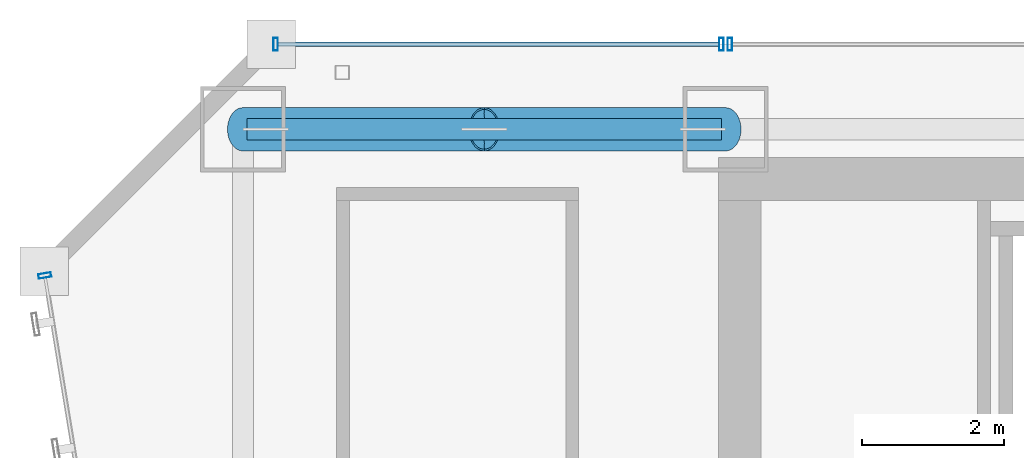
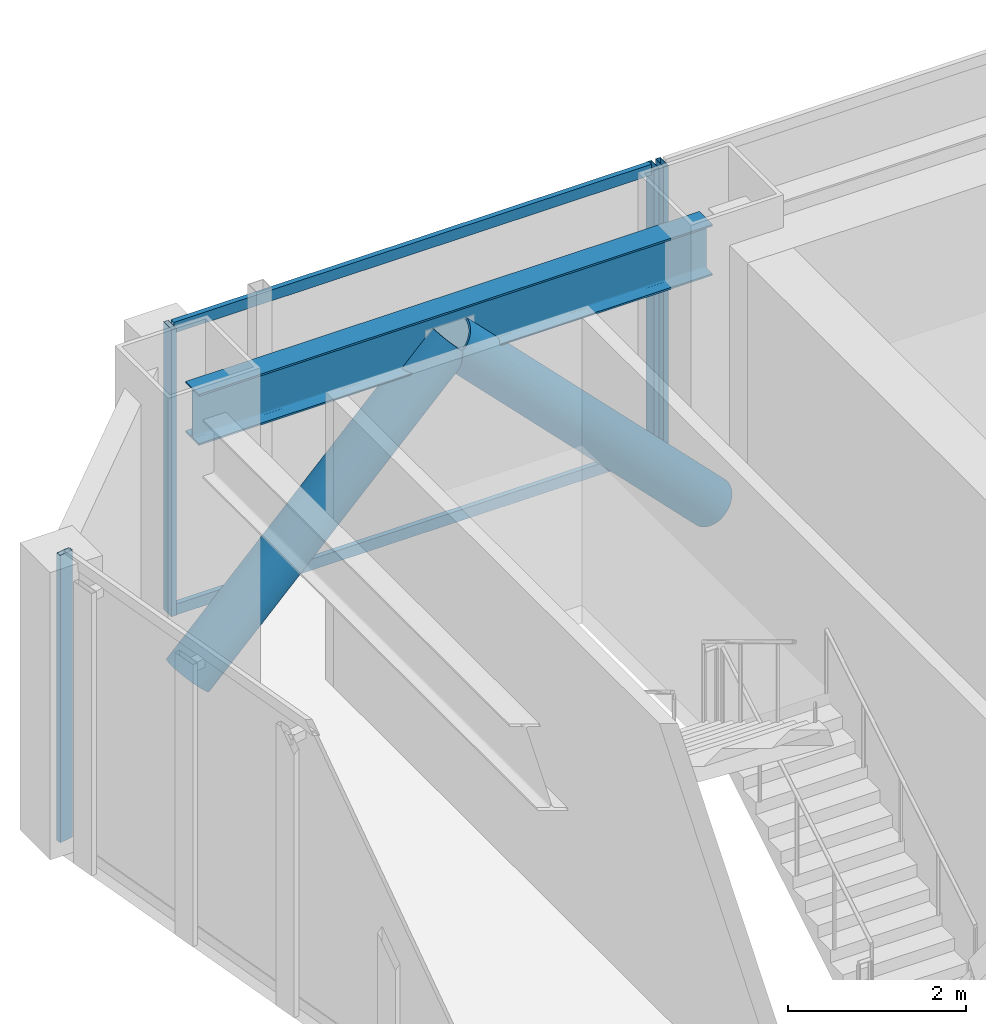
# One storey, part 26 of 47: 8 members, 1 beam, 3 elements without a shape of their own.
"""IFC4 building model written with IfcOpenShell, lengths in metres."""

from ifc_helpers import new_model, si_unit, direction, frame, origin, origin_2d, place, context, subcontext, project, spatial, hollow_rectangle, hollow_circle, i_section, extrude, material, material_profile, profile_set, type_object, element, aggregate, save


model = new_model("IFC4")

# Units and contexts
model_context = context("Model", 3, precision=1e-05, world=origin(), true_north=direction((0.0, 1.0)))
body_context = subcontext(model_context, "Body", "Model", "MODEL_VIEW")
ifc_project = project(units=[si_unit("LENGTHUNIT", "METRE"), si_unit("AREAUNIT", "SQUARE_METRE"), si_unit("VOLUMEUNIT", "CUBIC_METRE"), si_unit("PLANEANGLEUNIT", "RADIAN"), si_unit("MASSUNIT", "GRAM", prefix="KILO")], contexts=[model_context])

# Site, building, storey
site_placement = place(None, origin())
site = spatial("IfcSite", under=ifc_project, at=site_placement, CompositionType="ELEMENT")
building_placement = place(site_placement, origin())
building = spatial("IfcBuilding", under=site, at=building_placement, Name="Saevonmaru Cultural Tower", CompositionType="ELEMENT")
storey_placement = place(building_placement, frame((0.0, 0.0, 82.39990234375)))
storey = spatial("IfcBuildingStorey", under=building, at=storey_placement, Name="L17", CompositionType="ELEMENT", Elevation=82.39990234375)

# Beam
ifc_material_1 = material(Name="Steel SM355", Category="steel")
ifc_material_profile_1 = material_profile(ifc_material_1, i_section(OverallWidth=0.300048828125, OverallDepth=0.699951171875, WebThickness=0.012939453125, FlangeThickness=0.02392578125, FilletRadius=0.02587890625, at=origin_2d()), Name="H-700x300x13x24")
ifc_profile_set_1 = profile_set([ifc_material_profile_1], Name="Steel SM355")
beam_type = type_object("IfcBeamType", Name="BM-SP-H700", PredefinedType="SPANDREL", material=ifc_profile_set_1)
beam_placement = place(storey_placement, frame((6.860107421875, 54.800048828125, 3.60009765625), z_axis=(1.0, 0.0, 0.0), x_axis=(0.0, 1.0, 0.0)))
element("IfcBeam", 1, at=beam_placement, inside=storey, type_object=beam_type, Name="L17 North Spine Girder 1", PredefinedType="SPANDREL", context=body_context, shape_type="SweptSolid", body=[
    extrude(i_section(OverallWidth=0.300048828125, OverallDepth=0.699951171875, WebThickness=0.012939453125, FlangeThickness=0.02392578125, FilletRadius=0.02587890625, at=origin_2d()), origin(), (0.0, 0.0, 1.0), 6.679931640625),
])

# Members
ifc_material_2 = material(Name="Steel HSA600 (600 MPa)", Category="steel")
ifc_material_profile_2 = material_profile(ifc_material_2, hollow_circle(Radius=0.3046875, WallThickness=0.02490234375, at=origin_2d()), Name="CHS-609.6x25")
ifc_profile_set_2 = profile_set([ifc_material_profile_2], Name="Steel HSA600 (600 MPa)")
member_type_1 = type_object("IfcMemberType", Name="MB-PBR-CHS610", PredefinedType="BRACE", material=ifc_profile_set_2)
for number, where, z_axis, x_axis, name in (
    (2, (6.800048828125, 54.800048828125, 0.02001953125), (0.701896332213, 0.0, 0.712279115815), (0.0, 1.0, 0.0), "L17 Perimeter Braced-Tube Diagonal WN1"),
    (3, (13.60009765625, 54.800048828125, 0.02001953125), (-0.701921901815, 0.0, 0.712253918033), (0.0, -1.0, 0.0), "L17 Perimeter Braced-Tube Diagonal WN2"),
):
    element("IfcMember", number, at=place(storey_placement, frame(where, z_axis=z_axis, x_axis=x_axis)), inside=storey, type_object=member_type_1, Name=name, PredefinedType="BRACE", context=body_context, shape_type="SweptSolid", body=[
        extrude(hollow_circle(Radius=0.3046875, WallThickness=0.02490234375, at=origin_2d()), origin(), (0.0, 0.0, 1.0), 4.843994140625),
    ])

# Curtain wall, member
ifc_material_3 = material(Name="Satin Bronze Anodised Aluminium", Category="aluminium")
curtain_wall_type = type_object("IfcCurtainWallType", Name="CW-TYP-A", PredefinedType="NOTDEFINED", material=ifc_material_3)
curtain_wall_1_placement = place(storey_placement, origin())
curtain_wall_1 = element("IfcCurtainWall", 4, at=curtain_wall_1_placement, inside=storey, type_object=curtain_wall_type, Name="L17 North Spine Unitised Curtain Wall E10B", PredefinedType="NOTDEFINED")
ifc_material_profile_3 = material_profile(ifc_material_3, hollow_rectangle(XDim=0.06494140625, YDim=0.179931640625, WallThickness=0.00390625, at=origin_2d()), Name="ALU-MULL-180x65x4")
ifc_profile_set_3 = profile_set([ifc_material_profile_3], Name="Satin Bronze Anodised Aluminium")
member_type_2 = type_object("IfcMemberType", Name="ML-CW-180x65", PredefinedType="MULLION", material=ifc_profile_set_3)
member_1_placement = place(storey_placement, frame((13.659912109375, 56.0, 0.0), z_axis=(0.0, 0.0, 1.0), x_axis=(-1.0, 0.0, 0.0)))
member_1 = element("IfcMember", 5, at=member_1_placement, type_object=member_type_2, Name="CW-TW-L17-E10B mullion 4", PredefinedType="MULLION", context=body_context, shape_type="SweptSolid", body=[
    extrude(hollow_rectangle(XDim=0.06494140625, YDim=0.179931640625, WallThickness=0.00390625, at=origin_2d()), origin(), (0.0, 0.0, 1.0), 3.9501953125),
])
aggregate(curtain_wall_1, [member_1])

# Curtain wall, members
curtain_wall_2_placement = place(storey_placement, origin())
curtain_wall_2 = element("IfcCurtainWall", 6, at=curtain_wall_2_placement, inside=storey, type_object=curtain_wall_type, Name="L17 West Braced Bay Spandrel Curtain Wall E10C", PredefinedType="NOTDEFINED")
member_2_placement = place(storey_placement, frame((13.5400390625, 56.0, 0.0), z_axis=(0.0, 0.0, 1.0), x_axis=(-1.0, 0.0, 0.0)))
member_2 = element("IfcMember", 7, at=member_2_placement, type_object=member_type_2, Name="CW-TW-L17-E10C mullion 1", PredefinedType="MULLION", context=body_context, shape_type="SweptSolid", body=[
    extrude(hollow_rectangle(XDim=0.06494140625, YDim=0.179931640625, WallThickness=0.00390625, at=origin_2d()), origin(), (0.0, 0.0, 1.0), 3.9501953125),
])
member_3_placement = place(storey_placement, frame((7.260009765625, 56.0, 0.0), z_axis=(0.0, 0.0, 1.0), x_axis=(-1.0, 0.0, 0.0)))
member_3 = element("IfcMember", 8, at=member_3_placement, type_object=member_type_2, Name="CW-TW-L17-E10C mullion 2", PredefinedType="MULLION", context=body_context, shape_type="SweptSolid", body=[
    extrude(hollow_rectangle(XDim=0.06494140625, YDim=0.179931640625, WallThickness=0.00390625, at=origin_2d()), origin(), (0.0, 0.0, 1.0), 3.9501953125),
])

# Curtain wall, member
curtain_wall_3_placement = place(storey_placement, origin())
curtain_wall_3 = element("IfcCurtainWall", 9, at=curtain_wall_3_placement, inside=storey, type_object=curtain_wall_type, Name="L17 Unitised Curtain Wall E12", PredefinedType="NOTDEFINED")
member_4_placement = place(storey_placement, frame((4.009765625, 52.74072265625, 0.0), z_axis=(0.0, 0.0, 1.0), x_axis=(0.161708868641, -0.986838508472, 0.0)))
member_4 = element("IfcMember", 10, at=member_4_placement, type_object=member_type_2, Name="CW-TW-L17-E12 mullion 1", PredefinedType="MULLION", context=body_context, shape_type="SweptSolid", body=[
    extrude(hollow_rectangle(XDim=0.06494140625, YDim=0.179931640625, WallThickness=0.00390625, at=origin_2d()), origin(), (0.0, 0.0, 1.0), 3.9501953125),
])
aggregate(curtain_wall_3, [member_4])

# Member
ifc_material_profile_4 = material_profile(ifc_material_3, hollow_rectangle(XDim=0.06494140625, YDim=0.14990234375, WallThickness=0.00390625, at=origin_2d()), Name="ALU-TRAN-150x65x4")
ifc_profile_set_4 = profile_set([ifc_material_profile_4], Name="Satin Bronze Anodised Aluminium")
member_type_3 = type_object("IfcMemberType", Name="TR-CW-150x65", PredefinedType="USERDEFINED", material=ifc_profile_set_4)
member_5_placement = place(storey_placement, frame((13.507568359375, 56.0, 0.03271484375), z_axis=(-1.0, 0.0, 0.0), x_axis=(0.0, -1.0, 0.0)))
member_5 = element("IfcMember", 11, at=member_5_placement, type_object=member_type_3, Name="CW-TW-L17-E10C transom 1.1", ObjectType="TRANSOM", PredefinedType="USERDEFINED", context=body_context, shape_type="SweptSolid", body=[
    extrude(hollow_rectangle(XDim=0.06494140625, YDim=0.14990234375, WallThickness=0.00390625, at=origin_2d()), origin(), (0.0, 0.0, 1.0), 6.215087890625),
])

member_6_placement = place(storey_placement, frame((13.507568359375, 56.0, 3.91748046875), z_axis=(-1.0, 0.0, 0.0), x_axis=(0.0, -1.0, 0.0)))
member_6 = element("IfcMember", 12, at=member_6_placement, type_object=member_type_3, Name="CW-TW-L17-E10C transom 1.2", ObjectType="TRANSOM", PredefinedType="USERDEFINED", context=body_context, shape_type="SweptSolid", body=[
    extrude(hollow_rectangle(XDim=0.06494140625, YDim=0.14990234375, WallThickness=0.00390625, at=origin_2d()), origin(), (0.0, 0.0, 1.0), 6.215087890625),
])

aggregate(curtain_wall_2, [member_2, member_3, member_5, member_6])

save(model, "model.ifc")
